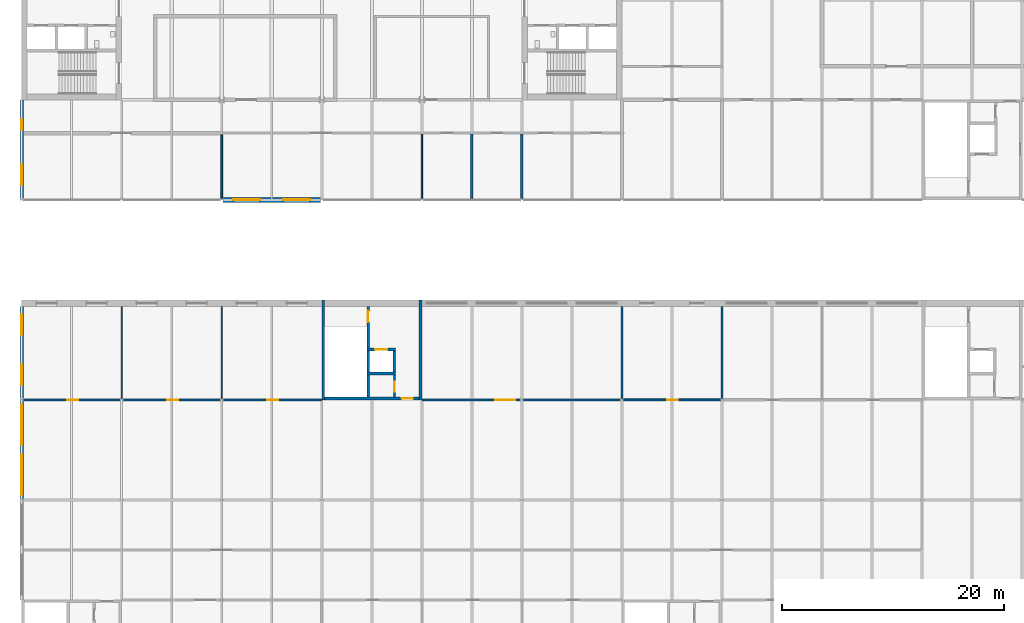
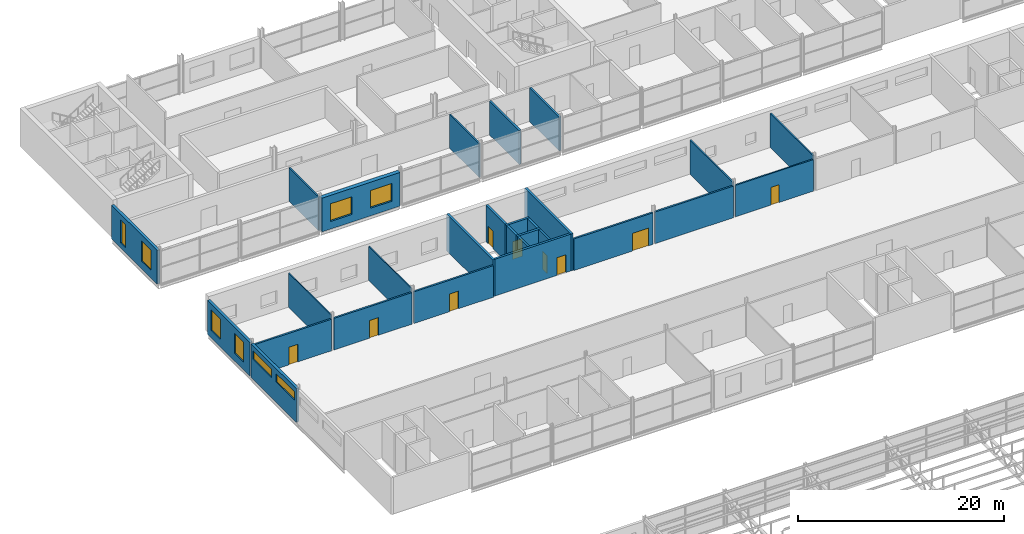
# One storey, part 118 of 138: 26 walls, 9 doors, 8 windows, 17 openings.
"""IFC4 building model written with IfcOpenShell, lengths in metres."""

from ifc_helpers import new_model, si_unit, direction, frame, frame_2d, origin, place, context, subcontext, project, spatial, rectangle, extrude, material, layer, layer_set, type_object, element, fill, save


model = new_model("IFC4")

# Units and contexts
model_context = context("Model", 3, precision=1e-05, world=origin(), true_north=direction((0.0, 1.0)))
body_context = subcontext(model_context, "Body", "Model", "MODEL_VIEW")
ifc_project = project(units=[si_unit("LENGTHUNIT", "METRE"), si_unit("AREAUNIT", "SQUARE_METRE"), si_unit("VOLUMEUNIT", "CUBIC_METRE"), si_unit("PLANEANGLEUNIT", "RADIAN"), si_unit("MASSUNIT", "GRAM", prefix="KILO")], contexts=[model_context])

# Site, building, storey
site_placement = place(None, origin())
site = spatial("IfcSite", under=ifc_project, at=site_placement, CompositionType="ELEMENT")
building_placement = place(site_placement, origin())
building = spatial("IfcBuilding", under=site, at=building_placement, Name="Corbel Yard City Hall", CompositionType="ELEMENT")
storey_placement = place(building_placement, frame((0.0, 0.0, 10.5)))
storey = spatial("IfcBuildingStorey", under=building, at=storey_placement, Name="L02", CompositionType="ELEMENT", Elevation=10.5)

# Walls
ifc_material_1 = material(Name="Concrete N50 (50 MPa)", Category="concrete")
ifc_layer_1 = layer(ifc_material_1, 0.25)
ifc_layer_set_1 = layer_set([ifc_layer_1], Name="Concrete N50 (50 MPa)")
wall_type_1 = type_object("IfcWallType", Name="Core cell wall 250", PredefinedType="SHEAR", material=ifc_layer_set_1)
for number, where, z_axis, x_axis, name in (
    (1, (27.125, 72.0, 0.0), (0.0, 0.0, 1.0), (0.0, 1.0, 0.0), "Core PC-M6 west wall"),
    (2, (35.875, 72.0, 0.0), (0.0, 0.0, 1.0), (0.0, 1.0, 0.0), "Core PC-M6 east wall"),
):
    element("IfcWall", number, at=place(storey_placement, frame(where, z_axis=z_axis, x_axis=x_axis)), inside=storey, type_object=wall_type_1, Name=name, PredefinedType="SHEAR", context=body_context, shape_type="SweptSolid", body=[
        extrude(rectangle(XDim=9.0, YDim=0.25, at=frame_2d((4.5, 0.0))), origin(), (0.0, 0.0, 1.0), 4.35009765625),
    ])

# Wall, opening, door
wall_1_placement = place(storey_placement, frame((27.25, 72.125, 0.0), z_axis=(0.0, 0.0, 1.0), x_axis=(1.0, 0.0, 0.0)))
wall_1 = element("IfcWall", 3, at=wall_1_placement, inside=storey, type_object=wall_type_1, Name="Core PC-M6 south wall", PredefinedType="SHEAR", context=body_context, shape_type="SweptSolid", body=[
    extrude(rectangle(XDim=8.5, YDim=0.25, at=frame_2d((4.25, 0.0))), origin(), (0.0, 0.0, 1.0), 4.35009765625),
])
opening_1_placement = place(wall_1_placement, frame((6.949951171875, 0.0, 0.0)))
opening_1 = element("IfcOpeningElement", 4, at=opening_1_placement, cuts=wall_1, Name="Opening L02-063", PredefinedType="OPENING", context=body_context, shape_type="SweptSolid", body=[
    extrude(rectangle(XDim=1.0, YDim=2.10009765625, at=frame_2d((0.5, 1.050048828125))), frame((0.0, 0.135009765625, 0.0), z_axis=(0.0, -1.0, 0.0), x_axis=(1.0, 0.0, 0.0)), (0.0, 0.0, 1.0), 0.27001953125),
])
ifc_material_2 = material(Name="Steel Grade G250", Category="steel")
door_type_1 = type_object("IfcDoorType", Name="FS1", OperationType="SINGLE_SWING_LEFT", PredefinedType="DOOR", material=ifc_material_2)
door_1_placement = place(opening_1_placement, origin())
door_1 = element("IfcDoor", 5, at=door_1_placement, inside=storey, type_object=door_type_1, Name="Door Lift Lobby", OperationType="SINGLE_SWING_LEFT", OverallHeight=2.10009765625, OverallWidth=1.0, PredefinedType="DOOR", context=body_context, shape_type="SweptSolid", body=[
    extrude(rectangle(XDim=1.0, YDim=2.10009765625, at=frame_2d((0.5, 1.050048828125))), frame((0.0, 0.02490234375, 0.0), z_axis=(0.0, -1.0, 0.0), x_axis=(1.0, 0.0, 0.0)), (0.0, 0.0, 1.0), 0.050048828125),
])
fill(opening_1, door_1)

# Wall, openings, windows
ifc_material_3 = material(Name="Sandstone cladding", Category="masonry")
ifc_layer_2 = layer(ifc_material_3, 0.0400390625)
ifc_material_4 = material(Name="Air cavity", Category="air")
ifc_layer_3 = layer(ifc_material_4, 0.0400390625)
ifc_material_5 = material(Name="Concrete block", Category="concrete")
ifc_layer_4 = layer(ifc_material_5, 0.18994140625)
ifc_material_6 = material(Name="Gypsum plasterboard", Category="gypsum")
ifc_layer_5 = layer(ifc_material_6, 0.030029296875)
ifc_layer_set_2 = layer_set([ifc_layer_2, ifc_layer_3, ifc_layer_4, ifc_layer_5], Name="Concrete block")
wall_type_2 = type_object("IfcWallType", Name="EW1", PredefinedType="SOLIDWALL", material=ifc_layer_set_2)
wall_2_placement = place(storey_placement, frame((0.0, 63.126953125, 0.0), z_axis=(0.0, 0.0, 1.0), x_axis=(0.0, 1.0, 0.0)))
wall_2 = element("IfcWall", 6, at=wall_2_placement, inside=storey, type_object=wall_type_2, Name="External wall", PredefinedType="SOLIDWALL", context=body_context, shape_type="SweptSolid", body=[
    extrude(rectangle(XDim=8.74609375, YDim=0.300048828125, at=frame_2d((4.373046875, 0.0))), origin(), (0.0, 0.0, 1.0), 3.990966796875),
])
opening_2_placement = place(wall_2_placement, frame((0.322998046875, 0.0, 2.39990234375)))
opening_2 = element("IfcOpeningElement", 7, at=opening_2_placement, cuts=wall_2, Name="Opening WN9", PredefinedType="OPENING", context=body_context, shape_type="SweptSolid", body=[
    extrude(rectangle(XDim=3.60009765625, YDim=1.0, at=frame_2d((1.800048828125, 0.5))), frame((0.0, 0.159912109375, 0.0), z_axis=(0.0, -1.0, 0.0), x_axis=(1.0, 0.0, 0.0)), (0.0, 0.0, 1.0), 0.320068359375),
])
opening_3_placement = place(wall_2_placement, frame((4.822998046875, 0.0, 2.39990234375)))
opening_3 = element("IfcOpeningElement", 8, at=opening_3_placement, cuts=wall_2, Name="Opening WN9", PredefinedType="OPENING", context=body_context, shape_type="SweptSolid", body=[
    extrude(rectangle(XDim=3.60009765625, YDim=1.0, at=frame_2d((1.800048828125, 0.5))), frame((0.0, 0.159912109375, 0.0), z_axis=(0.0, -1.0, 0.0), x_axis=(1.0, 0.0, 0.0)), (0.0, 0.0, 1.0), 0.320068359375),
])
ifc_material_7 = material(Name="Aluminium frame, double glazed low-e glass with fritted upper pane", Category="aluminium")
window_type_1 = type_object("IfcWindowType", Name="WN9", PartitioningType="SINGLE_PANEL", PredefinedType="WINDOW", material=ifc_material_7)
window_1_placement = place(opening_2_placement, origin())
window_1 = element("IfcWindow", 9, at=window_1_placement, inside=storey, type_object=window_type_1, Name="Window WN9 L02", OverallHeight=1.0, OverallWidth=3.60009765625, PartitioningType="SINGLE_PANEL", PredefinedType="WINDOW", context=body_context, shape_type="SweptSolid", body=[
    extrude(rectangle(XDim=3.60009765625, YDim=1.0, at=frame_2d((1.800048828125, 0.5))), frame((0.0, 0.030029296875, 0.0), z_axis=(0.0, -1.0, 0.0), x_axis=(1.0, 0.0, 0.0)), (0.0, 0.0, 1.0), 0.06005859375),
])
fill(opening_2, window_1)
window_2_placement = place(opening_3_placement, origin())
window_2 = element("IfcWindow", 10, at=window_2_placement, inside=storey, type_object=window_type_1, Name="Window WN9 L02", OverallHeight=1.0, OverallWidth=3.60009765625, PartitioningType="SINGLE_PANEL", PredefinedType="WINDOW", context=body_context, shape_type="SweptSolid", body=[
    extrude(rectangle(XDim=3.60009765625, YDim=1.0, at=frame_2d((1.800048828125, 0.5))), frame((0.0, 0.030029296875, 0.0), z_axis=(0.0, -1.0, 0.0), x_axis=(1.0, 0.0, 0.0)), (0.0, 0.0, 1.0), 0.06005859375),
])
fill(opening_3, window_2)

wall_3_placement = place(storey_placement, frame((0.0, 72.126953125, 0.0), z_axis=(0.0, 0.0, 1.0), x_axis=(0.0, 1.0, 0.0)))
wall_3 = element("IfcWall", 11, at=wall_3_placement, inside=storey, type_object=wall_type_2, Name="External wall", PredefinedType="SOLIDWALL", context=body_context, shape_type="SweptSolid", body=[
    extrude(rectangle(XDim=8.27294921875, YDim=0.300048828125, at=frame_2d((4.136474609375, 0.0))), origin(), (0.0, 0.0, 1.0), 3.990966796875),
])
opening_4_placement = place(wall_3_placement, frame((1.222900390625, 0.0, 0.89990234375)))
opening_4 = element("IfcOpeningElement", 12, at=opening_4_placement, cuts=wall_3, Name="Opening WN1", PredefinedType="OPENING", context=body_context, shape_type="SweptSolid", body=[
    extrude(rectangle(XDim=1.800048828125, YDim=2.39990234375, at=frame_2d((0.89990234375, 1.199951171875))), frame((0.0, 0.159912109375, 0.0), z_axis=(0.0, -1.0, 0.0), x_axis=(1.0, 0.0, 0.0)), (0.0, 0.0, 1.0), 0.320068359375),
])
opening_5_placement = place(wall_3_placement, frame((5.722900390625, 0.0, 0.89990234375)))
opening_5 = element("IfcOpeningElement", 13, at=opening_5_placement, cuts=wall_3, Name="Opening WN1", PredefinedType="OPENING", context=body_context, shape_type="SweptSolid", body=[
    extrude(rectangle(XDim=1.800048828125, YDim=2.39990234375, at=frame_2d((0.89990234375, 1.199951171875))), frame((0.0, 0.159912109375, 0.0), z_axis=(0.0, -1.0, 0.0), x_axis=(1.0, 0.0, 0.0)), (0.0, 0.0, 1.0), 0.320068359375),
])
ifc_material_8 = material(Name="Aluminium frame, double glazed low-e glass", Category="aluminium")
window_type_2 = type_object("IfcWindowType", Name="WN1", PartitioningType="SINGLE_PANEL", PredefinedType="WINDOW", material=ifc_material_8)
window_3_placement = place(opening_4_placement, origin())
window_3 = element("IfcWindow", 14, at=window_3_placement, inside=storey, type_object=window_type_2, Name="Window WN1 L02", OverallHeight=2.39990234375, OverallWidth=1.800048828125, PartitioningType="SINGLE_PANEL", PredefinedType="WINDOW", context=body_context, shape_type="SweptSolid", body=[
    extrude(rectangle(XDim=1.800048828125, YDim=2.39990234375, at=frame_2d((0.89990234375, 1.199951171875))), frame((0.0, 0.030029296875, 0.0), z_axis=(0.0, -1.0, 0.0), x_axis=(1.0, 0.0, 0.0)), (0.0, 0.0, 1.0), 0.06005859375),
])
fill(opening_4, window_3)
window_4_placement = place(opening_5_placement, origin())
window_4 = element("IfcWindow", 15, at=window_4_placement, inside=storey, type_object=window_type_2, Name="Window WN1 L02", OverallHeight=2.39990234375, OverallWidth=1.800048828125, PartitioningType="SINGLE_PANEL", PredefinedType="WINDOW", context=body_context, shape_type="SweptSolid", body=[
    extrude(rectangle(XDim=1.800048828125, YDim=2.39990234375, at=frame_2d((0.89990234375, 1.199951171875))), frame((0.0, 0.030029296875, 0.0), z_axis=(0.0, -1.0, 0.0), x_axis=(1.0, 0.0, 0.0)), (0.0, 0.0, 1.0), 0.06005859375),
])
fill(opening_5, window_4)

wall_4_placement = place(storey_placement, frame((0.0, 90.126953125, 0.0), z_axis=(0.0, 0.0, 1.0), x_axis=(0.0, 1.0, 0.0)))
wall_4 = element("IfcWall", 16, at=wall_4_placement, inside=storey, type_object=wall_type_2, Name="External wall", PredefinedType="SOLIDWALL", context=body_context, shape_type="SweptSolid", body=[
    extrude(rectangle(XDim=8.873046875, YDim=0.300048828125, at=frame_2d((4.4365234375, 0.0))), origin(), (0.0, 0.0, 1.0), 3.990966796875),
])
opening_6_placement = place(wall_4_placement, frame((1.222900390625, 0.0, 0.89990234375)))
opening_6 = element("IfcOpeningElement", 17, at=opening_6_placement, cuts=wall_4, Name="Opening WN1", PredefinedType="OPENING", context=body_context, shape_type="SweptSolid", body=[
    extrude(rectangle(XDim=1.800048828125, YDim=2.39990234375, at=frame_2d((0.89990234375, 1.199951171875))), frame((0.0, 0.159912109375, 0.0), z_axis=(0.0, -1.0, 0.0), x_axis=(1.0, 0.0, 0.0)), (0.0, 0.0, 1.0), 0.320068359375),
])
opening_7_placement = place(wall_4_placement, frame((6.173095703125, 0.0, 0.60009765625)))
opening_7 = element("IfcOpeningElement", 18, at=opening_7_placement, cuts=wall_4, Name="Opening WN14", PredefinedType="OPENING", context=body_context, shape_type="SweptSolid", body=[
    extrude(rectangle(XDim=0.89990234375, YDim=2.699951171875, at=frame_2d((0.449951171875, 1.35009765625))), frame((0.0, 0.159912109375, 0.0), z_axis=(0.0, -1.0, 0.0), x_axis=(1.0, 0.0, 0.0)), (0.0, 0.0, 1.0), 0.320068359375),
])
window_5_placement = place(opening_6_placement, origin())
window_5 = element("IfcWindow", 19, at=window_5_placement, inside=storey, type_object=window_type_2, Name="Window WN1 L02", OverallHeight=2.39990234375, OverallWidth=1.800048828125, PartitioningType="SINGLE_PANEL", PredefinedType="WINDOW", context=body_context, shape_type="SweptSolid", body=[
    extrude(rectangle(XDim=1.800048828125, YDim=2.39990234375, at=frame_2d((0.89990234375, 1.199951171875))), frame((0.0, 0.030029296875, 0.0), z_axis=(0.0, -1.0, 0.0), x_axis=(1.0, 0.0, 0.0)), (0.0, 0.0, 1.0), 0.06005859375),
])
fill(opening_6, window_5)
window_type_3 = type_object("IfcWindowType", Name="WN14", PartitioningType="SINGLE_PANEL", PredefinedType="WINDOW", material=ifc_material_8)
window_6_placement = place(opening_7_placement, origin())
window_6 = element("IfcWindow", 20, at=window_6_placement, inside=storey, type_object=window_type_3, Name="Window WN14 L02", OverallHeight=2.699951171875, OverallWidth=0.89990234375, PartitioningType="SINGLE_PANEL", PredefinedType="WINDOW", context=body_context, shape_type="SweptSolid", body=[
    extrude(rectangle(XDim=0.89990234375, YDim=2.699951171875, at=frame_2d((0.449951171875, 1.35009765625))), frame((0.0, 0.030029296875, 0.0), z_axis=(0.0, -1.0, 0.0), x_axis=(1.0, 0.0, 0.0)), (0.0, 0.0, 1.0), 0.06005859375),
])
fill(opening_7, window_6)

ifc_layer_6 = layer(ifc_material_3, 0.06005859375)
ifc_layer_7 = layer(ifc_material_4, 0.0400390625)
ifc_material_9 = material(Name="Concrete N40 (40 MPa)", Category="concrete")
ifc_layer_8 = layer(ifc_material_9, 0.25)
ifc_material_10 = material(Name="Mineral wool", Category="insulation")
ifc_layer_9 = layer(ifc_material_10, 0.10009765625)
ifc_layer_set_3 = layer_set([ifc_layer_6, ifc_layer_7, ifc_layer_8, ifc_layer_9], Name="Concrete N40 (40 MPa)")
wall_type_3 = type_object("IfcWallType", Name="EW2", PredefinedType="SOLIDWALL", material=ifc_layer_set_3)
wall_5_placement = place(storey_placement, frame((18.126953125, 90.0, 0.0), z_axis=(0.0, 0.0, 1.0), x_axis=(1.0, 0.0, 0.0)))
wall_5 = element("IfcWall", 21, at=wall_5_placement, inside=storey, type_object=wall_type_3, Name="Entrance pier wall", PredefinedType="SOLIDWALL", context=body_context, shape_type="SweptSolid", body=[
    extrude(rectangle(XDim=8.74609375, YDim=0.449951171875, at=frame_2d((4.373046875, 0.0))), origin(), (0.0, 0.0, 1.0), 3.990966796875),
])
opening_8_placement = place(wall_5_placement, frame((0.923095703125, 0.0, 0.89990234375)))
opening_8 = element("IfcOpeningElement", 22, at=opening_8_placement, cuts=wall_5, Name="Opening WN8", PredefinedType="OPENING", context=body_context, shape_type="SweptSolid", body=[
    extrude(rectangle(XDim=2.39990234375, YDim=2.10009765625, at=frame_2d((1.199951171875, 1.050048828125))), frame((0.0, 0.23486328125, 0.0), z_axis=(0.0, -1.0, 0.0), x_axis=(1.0, 0.0, 0.0)), (0.0, 0.0, 1.0), 0.469970703125),
])
opening_9_placement = place(wall_5_placement, frame((5.423095703125, 0.0, 0.89990234375)))
opening_9 = element("IfcOpeningElement", 23, at=opening_9_placement, cuts=wall_5, Name="Opening WN8", PredefinedType="OPENING", context=body_context, shape_type="SweptSolid", body=[
    extrude(rectangle(XDim=2.39990234375, YDim=2.10009765625, at=frame_2d((1.199951171875, 1.050048828125))), frame((0.0, 0.23486328125, 0.0), z_axis=(0.0, -1.0, 0.0), x_axis=(1.0, 0.0, 0.0)), (0.0, 0.0, 1.0), 0.469970703125),
])
window_type_4 = type_object("IfcWindowType", Name="WN8", PartitioningType="SINGLE_PANEL", PredefinedType="WINDOW", material=ifc_material_8)
window_7_placement = place(opening_8_placement, origin())
window_7 = element("IfcWindow", 24, at=window_7_placement, inside=storey, type_object=window_type_4, Name="Window WN8 L02", OverallHeight=2.10009765625, OverallWidth=2.39990234375, PartitioningType="SINGLE_PANEL", PredefinedType="WINDOW", context=body_context, shape_type="SweptSolid", body=[
    extrude(rectangle(XDim=2.39990234375, YDim=2.10009765625, at=frame_2d((1.199951171875, 1.050048828125))), frame((0.0, 0.030029296875, 0.0), z_axis=(0.0, -1.0, 0.0), x_axis=(1.0, 0.0, 0.0)), (0.0, 0.0, 1.0), 0.06005859375),
])
fill(opening_8, window_7)
window_8_placement = place(opening_9_placement, origin())
window_8 = element("IfcWindow", 25, at=window_8_placement, inside=storey, type_object=window_type_4, Name="Window WN8 L02", OverallHeight=2.10009765625, OverallWidth=2.39990234375, PartitioningType="SINGLE_PANEL", PredefinedType="WINDOW", context=body_context, shape_type="SweptSolid", body=[
    extrude(rectangle(XDim=2.39990234375, YDim=2.10009765625, at=frame_2d((1.199951171875, 1.050048828125))), frame((0.0, 0.030029296875, 0.0), z_axis=(0.0, -1.0, 0.0), x_axis=(1.0, 0.0, 0.0)), (0.0, 0.0, 1.0), 0.06005859375),
])
fill(opening_9, window_8)

# Wall, opening, door
ifc_layer_10 = layer(ifc_material_9, 0.25)
ifc_layer_set_4 = layer_set([ifc_layer_10], Name="Concrete N40 (40 MPa)")
wall_type_4 = type_object("IfcWallType", Name="IW2", PredefinedType="SOLIDWALL", material=ifc_layer_set_4)
wall_6_placement = place(storey_placement, frame((31.175048828125, 80.39990234375, 0.0), z_axis=(0.0, 0.0, 1.0), x_axis=(0.0, -1.0, 0.0)))
wall_6 = element("IfcWall", 26, at=wall_6_placement, inside=storey, type_object=wall_type_4, Name="Stair enclosure wall", PredefinedType="SOLIDWALL", context=body_context, shape_type="SweptSolid", body=[
    extrude(rectangle(XDim=8.14990234375, YDim=0.25, at=frame_2d((4.074951171875, 0.0))), origin(), (0.0, 0.0, 1.0), 4.35009765625),
])
opening_10_placement = place(wall_6_placement, frame((0.39990234375, 0.0, 0.0)))
opening_10 = element("IfcOpeningElement", 27, at=opening_10_placement, cuts=wall_6, Name="Opening L02-062", PredefinedType="OPENING", context=body_context, shape_type="SweptSolid", body=[
    extrude(rectangle(XDim=1.0, YDim=2.10009765625, at=frame_2d((0.5, 1.050048828125))), frame((0.0, 0.135009765625, 0.0), z_axis=(0.0, -1.0, 0.0), x_axis=(1.0, 0.0, 0.0)), (0.0, 0.0, 1.0), 0.27001953125),
])
door_2_placement = place(opening_10_placement, frame((1.0, 0.0, 0.0), z_axis=(0.0, 0.0, 1.0), x_axis=(-1.0, 0.0, 0.0)))
door_2 = element("IfcDoor", 28, at=door_2_placement, inside=storey, type_object=door_type_1, Name="Door Exit Stair 13", OperationType="SINGLE_SWING_RIGHT", OverallHeight=2.10009765625, OverallWidth=1.0, PredefinedType="DOOR", context=body_context, shape_type="SweptSolid", body=[
    extrude(rectangle(XDim=1.0, YDim=2.10009765625, at=frame_2d((0.5, 1.050048828125))), frame((0.0, 0.02490234375, 0.0), z_axis=(0.0, -1.0, 0.0), x_axis=(1.0, 0.0, 0.0)), (0.0, 0.0, 1.0), 0.050048828125),
])
fill(opening_10, door_2)

# Wall
wall_7_placement = place(storey_placement, frame((31.050048828125, 74.375, 0.0), z_axis=(0.0, 0.0, 1.0), x_axis=(1.0, 0.0, 0.0)))
element("IfcWall", 29, at=wall_7_placement, inside=storey, type_object=wall_type_4, Name="Lift LP13 shaft wall", PredefinedType="SOLIDWALL", context=body_context, shape_type="SweptSolid", body=[
    extrude(rectangle(XDim=2.599853515625, YDim=0.25, at=frame_2d((1.2998046875, 0.0))), origin(), (0.0, 0.0, 1.0), 4.35009765625),
])

# Wall, opening, door
wall_8_placement = place(storey_placement, frame((31.050048828125, 76.52490234375, 0.0), z_axis=(0.0, 0.0, 1.0), x_axis=(1.0, 0.0, 0.0)))
wall_8 = element("IfcWall", 30, at=wall_8_placement, inside=storey, type_object=wall_type_4, Name="Lift LP13 shaft wall", PredefinedType="SOLIDWALL", context=body_context, shape_type="SweptSolid", body=[
    extrude(rectangle(XDim=2.599853515625, YDim=0.25, at=frame_2d((1.2998046875, 0.0))), origin(), (0.0, 0.0, 1.0), 4.35009765625),
])
opening_11_placement = place(wall_8_placement, frame((0.75, 0.0, 0.0)))
opening_11 = element("IfcOpeningElement", 31, at=opening_11_placement, cuts=wall_8, Name="Opening L02-053", PredefinedType="OPENING", context=body_context, shape_type="SweptSolid", body=[
    extrude(rectangle(XDim=1.10009765625, YDim=2.10009765625, at=frame_2d((0.550048828125, 1.050048828125))), frame((0.0, 0.135009765625, 0.0), z_axis=(0.0, -1.0, 0.0), x_axis=(1.0, 0.0, 0.0)), (0.0, 0.0, 1.0), 0.27001953125),
])
ifc_material_11 = material(Name="Stainless steel Grade 316", Category="steel")
door_type_2 = type_object("IfcDoorType", Name="LD1", OperationType="DOUBLE_DOOR_SLIDING", PredefinedType="DOOR", material=ifc_material_11)
door_3_placement = place(opening_11_placement, origin())
door_3 = element("IfcDoor", 32, at=door_3_placement, inside=storey, type_object=door_type_2, Name="Lift LP13 landing door", OperationType="DOUBLE_DOOR_SLIDING", OverallHeight=2.10009765625, OverallWidth=1.10009765625, PredefinedType="DOOR", context=body_context, shape_type="SweptSolid", body=[
    extrude(rectangle(XDim=1.10009765625, YDim=2.10009765625, at=frame_2d((0.550048828125, 1.050048828125))), frame((0.0, 0.02490234375, 0.0), z_axis=(0.0, -1.0, 0.0), x_axis=(1.0, 0.0, 0.0)), (0.0, 0.0, 1.0), 0.050048828125),
])
fill(opening_11, door_3)

# Walls
wall_9_placement = place(storey_placement, frame((33.52490234375, 74.5, 0.0), z_axis=(0.0, 0.0, 1.0), x_axis=(0.0, 1.0, 0.0)))
element("IfcWall", 33, at=wall_9_placement, inside=storey, type_object=wall_type_4, Name="Lift LP13 shaft wall", PredefinedType="SOLIDWALL", context=body_context, shape_type="SweptSolid", body=[
    extrude(rectangle(XDim=1.89990234375, YDim=0.25, at=frame_2d((0.949951171875, 0.0))), origin(), (0.0, 0.0, 1.0), 4.35009765625),
])
ifc_layer_11 = layer(ifc_material_6, 0.028076171875)
ifc_material_12 = material(Name="Steel Grade G550 (550 MPa yield)", Category="steel")
ifc_layer_12 = layer(ifc_material_12, 0.06396484375)
ifc_layer_13 = layer(ifc_material_6, 0.028076171875)
ifc_layer_set_5 = layer_set([ifc_layer_11, ifc_layer_12, ifc_layer_13], Name="Steel Grade G550 (550 MPa yield)")
wall_type_5 = type_object("IfcWallType", Name="PT1", PredefinedType="PARTITIONING", material=ifc_layer_set_5)
for number, where, z_axis, x_axis, name in (
    (34, (9.0, 72.1298828125, 0.0), (0.0, 0.0, 1.0), (0.0, 1.0, 0.0), "Partition"),
    (35, (18.0, 72.1298828125, 0.0), (0.0, 0.0, 1.0), (0.0, 1.0, 0.0), "Partition"),
):
    element("IfcWall", number, at=place(storey_placement, frame(where, z_axis=z_axis, x_axis=x_axis)), inside=storey, type_object=wall_type_5, Name=name, PredefinedType="PARTITIONING", context=body_context, shape_type="SweptSolid", body=[
        extrude(rectangle(XDim=8.27001953125, YDim=0.1201171875, at=frame_2d((4.135009765625, 0.0))), origin(), (0.0, 0.0, 1.0), 4.04296875),
    ])

# Wall, opening, door
ifc_layer_14 = layer(ifc_material_6, 0.031982421875)
ifc_layer_15 = layer(ifc_material_12, 0.135986328125)
ifc_layer_16 = layer(ifc_material_6, 0.031982421875)
ifc_layer_set_6 = layer_set([ifc_layer_14, ifc_layer_15, ifc_layer_16], Name="Steel Grade G550 (550 MPa yield)")
wall_type_6 = type_object("IfcWallType", Name="PT2", PredefinedType="PARTITIONING", material=ifc_layer_set_6)
wall_10_placement = place(storey_placement, frame((0.126953125, 72.0, 0.0), z_axis=(0.0, 0.0, 1.0), x_axis=(1.0, 0.0, 0.0)))
wall_10 = element("IfcWall", 36, at=wall_10_placement, inside=storey, type_object=wall_type_6, Name="Acoustic wall", PredefinedType="PARTITIONING", context=body_context, shape_type="SweptSolid", body=[
    extrude(rectangle(XDim=8.7431640625, YDim=0.199951171875, at=frame_2d((4.37158203125, 0.0))), origin(), (0.0, 0.0, 1.0), 3.738037109375),
])
opening_12_placement = place(wall_10_placement, frame((3.972900390625, 0.0, 0.0)))
opening_12 = element("IfcOpeningElement", 37, at=opening_12_placement, cuts=wall_10, Name="Opening L02-077", PredefinedType="OPENING", context=body_context, shape_type="SweptSolid", body=[
    extrude(rectangle(XDim=1.0, YDim=2.10009765625, at=frame_2d((0.5, 1.050048828125))), frame((0.0, 0.10986328125, 0.0), z_axis=(0.0, -1.0, 0.0), x_axis=(1.0, 0.0, 0.0)), (0.0, 0.0, 1.0), 0.219970703125),
])
ifc_material_13 = material(Name="Timber", Category="wood")
door_type_3 = type_object("IfcDoorType", Name="D1", OperationType="SINGLE_SWING_LEFT", PredefinedType="DOOR", material=ifc_material_13)
door_4_placement = place(opening_12_placement, origin())
door_4 = element("IfcDoor", 38, at=door_4_placement, inside=storey, type_object=door_type_3, Name="Door Study Carrel 4", OperationType="SINGLE_SWING_RIGHT", OverallHeight=2.10009765625, OverallWidth=1.0, PredefinedType="DOOR", context=body_context, shape_type="SweptSolid", body=[
    extrude(rectangle(XDim=1.0, YDim=2.10009765625, at=frame_2d((0.5, 1.050048828125))), frame((0.0, 0.02490234375, 0.0), z_axis=(0.0, -1.0, 0.0), x_axis=(1.0, 0.0, 0.0)), (0.0, 0.0, 1.0), 0.050048828125),
])
fill(opening_12, door_4)

wall_11_placement = place(storey_placement, frame((9.1298828125, 72.0, 0.0), z_axis=(0.0, 0.0, 1.0), x_axis=(1.0, 0.0, 0.0)))
wall_11 = element("IfcWall", 39, at=wall_11_placement, inside=storey, type_object=wall_type_6, Name="Acoustic wall", PredefinedType="PARTITIONING", context=body_context, shape_type="SweptSolid", body=[
    extrude(rectangle(XDim=8.740234375, YDim=0.199951171875, at=frame_2d((4.3701171875, 0.0))), origin(), (0.0, 0.0, 1.0), 3.738037109375),
])
opening_13_placement = place(wall_11_placement, frame((3.969970703125, 0.0, 0.0)))
opening_13 = element("IfcOpeningElement", 40, at=opening_13_placement, cuts=wall_11, Name="Opening L02-078", PredefinedType="OPENING", context=body_context, shape_type="SweptSolid", body=[
    extrude(rectangle(XDim=1.0, YDim=2.10009765625, at=frame_2d((0.5, 1.050048828125))), frame((0.0, 0.10986328125, 0.0), z_axis=(0.0, -1.0, 0.0), x_axis=(1.0, 0.0, 0.0)), (0.0, 0.0, 1.0), 0.219970703125),
])
door_5_placement = place(opening_13_placement, origin())
door_5 = element("IfcDoor", 41, at=door_5_placement, inside=storey, type_object=door_type_3, Name="Door Study Carrel 5", OperationType="SINGLE_SWING_RIGHT", OverallHeight=2.10009765625, OverallWidth=1.0, PredefinedType="DOOR", context=body_context, shape_type="SweptSolid", body=[
    extrude(rectangle(XDim=1.0, YDim=2.10009765625, at=frame_2d((0.5, 1.050048828125))), frame((0.0, 0.02490234375, 0.0), z_axis=(0.0, -1.0, 0.0), x_axis=(1.0, 0.0, 0.0)), (0.0, 0.0, 1.0), 0.050048828125),
])
fill(opening_13, door_5)

wall_12_placement = place(storey_placement, frame((18.1298828125, 72.0, 0.0), z_axis=(0.0, 0.0, 1.0), x_axis=(1.0, 0.0, 0.0)))
wall_12 = element("IfcWall", 42, at=wall_12_placement, inside=storey, type_object=wall_type_6, Name="Acoustic wall", PredefinedType="PARTITIONING", context=body_context, shape_type="SweptSolid", body=[
    extrude(rectangle(XDim=8.8701171875, YDim=0.199951171875, at=frame_2d((4.43505859375, 0.0))), origin(), (0.0, 0.0, 1.0), 3.738037109375),
])
opening_14_placement = place(wall_12_placement, frame((3.969970703125, 0.0, 0.0)))
opening_14 = element("IfcOpeningElement", 43, at=opening_14_placement, cuts=wall_12, Name="Opening L02-079", PredefinedType="OPENING", context=body_context, shape_type="SweptSolid", body=[
    extrude(rectangle(XDim=1.0, YDim=2.10009765625, at=frame_2d((0.5, 1.050048828125))), frame((0.0, 0.10986328125, 0.0), z_axis=(0.0, -1.0, 0.0), x_axis=(1.0, 0.0, 0.0)), (0.0, 0.0, 1.0), 0.219970703125),
])
door_6_placement = place(opening_14_placement, origin())
door_6 = element("IfcDoor", 44, at=door_6_placement, inside=storey, type_object=door_type_3, Name="Door Study Carrel 6", OperationType="SINGLE_SWING_RIGHT", OverallHeight=2.10009765625, OverallWidth=1.0, PredefinedType="DOOR", context=body_context, shape_type="SweptSolid", body=[
    extrude(rectangle(XDim=1.0, YDim=2.10009765625, at=frame_2d((0.5, 1.050048828125))), frame((0.0, 0.02490234375, 0.0), z_axis=(0.0, -1.0, 0.0), x_axis=(1.0, 0.0, 0.0)), (0.0, 0.0, 1.0), 0.050048828125),
])
fill(opening_14, door_6)

wall_13_placement = place(storey_placement, frame((36.0, 72.0, 0.0), z_axis=(0.0, 0.0, 1.0), x_axis=(1.0, 0.0, 0.0)))
wall_13 = element("IfcWall", 45, at=wall_13_placement, inside=storey, type_object=wall_type_6, Name="Acoustic wall", PredefinedType="PARTITIONING", context=body_context, shape_type="SweptSolid", body=[
    extrude(rectangle(XDim=8.8701171875, YDim=0.199951171875, at=frame_2d((4.43505859375, 0.0))), origin(), (0.0, 0.0, 1.0), 3.738037109375),
])
opening_15_placement = place(wall_13_placement, frame((6.60009765625, 0.0, 0.0)))
opening_15 = element("IfcOpeningElement", 46, at=opening_15_placement, cuts=wall_13, Name="Opening L02-080", PredefinedType="OPENING", context=body_context, shape_type="SweptSolid", body=[
    extrude(rectangle(XDim=1.800048828125, YDim=2.10009765625, at=frame_2d((0.89990234375, 1.050048828125))), frame((0.0, 0.10986328125, 0.0), z_axis=(0.0, -1.0, 0.0), x_axis=(1.0, 0.0, 0.0)), (0.0, 0.0, 1.0), 0.219970703125),
])
door_type_4 = type_object("IfcDoorType", Name="D3", OperationType="DOUBLE_DOOR_SINGLE_SWING", PredefinedType="DOOR", material=ifc_material_13)
door_7_placement = place(opening_15_placement, origin())
door_7 = element("IfcDoor", 47, at=door_7_placement, inside=storey, type_object=door_type_4, Name="Door Library Stacks", OperationType="DOUBLE_DOOR_SINGLE_SWING", OverallHeight=2.10009765625, OverallWidth=1.800048828125, PredefinedType="DOOR", context=body_context, shape_type="SweptSolid", body=[
    extrude(rectangle(XDim=1.800048828125, YDim=2.10009765625, at=frame_2d((0.89990234375, 1.050048828125))), frame((0.0, 0.02490234375, 0.0), z_axis=(0.0, -1.0, 0.0), x_axis=(1.0, 0.0, 0.0)), (0.0, 0.0, 1.0), 0.050048828125),
])
fill(opening_15, door_7)

# Wall
wall_14_placement = place(storey_placement, frame((45.1298828125, 72.0, 0.0), z_axis=(0.0, 0.0, 1.0), x_axis=(1.0, 0.0, 0.0)))
element("IfcWall", 48, at=wall_14_placement, inside=storey, type_object=wall_type_6, Name="Acoustic wall", PredefinedType="PARTITIONING", context=body_context, shape_type="SweptSolid", body=[
    extrude(rectangle(XDim=8.740234375, YDim=0.199951171875, at=frame_2d((4.3701171875, 0.0))), origin(), (0.0, 0.0, 1.0), 3.738037109375),
])

# Wall, opening, door
ifc_layer_17 = layer(ifc_material_6, 0.031982421875)
ifc_layer_18 = layer(ifc_material_12, 0.095947265625)
ifc_layer_19 = layer(ifc_material_6, 0.031982421875)
ifc_layer_set_7 = layer_set([ifc_layer_17, ifc_layer_18, ifc_layer_19], Name="Steel Grade G550 (550 MPa yield)")
wall_type_7 = type_object("IfcWallType", Name="PT3", PredefinedType="PARTITIONING", material=ifc_layer_set_7)
wall_15_placement = place(storey_placement, frame((54.1298828125, 72.0, 0.0), z_axis=(0.0, 0.0, 1.0), x_axis=(1.0, 0.0, 0.0)))
wall_15 = element("IfcWall", 49, at=wall_15_placement, inside=storey, type_object=wall_type_7, Name="Fire-resisting wall", PredefinedType="PARTITIONING", context=body_context, shape_type="SweptSolid", body=[
    extrude(rectangle(XDim=8.740234375, YDim=0.159912109375, at=frame_2d((4.3701171875, 0.0))), origin(), (0.0, 0.0, 1.0), 3.738037109375),
])
opening_16_placement = place(wall_15_placement, frame((3.969970703125, 0.0, 0.0)))
opening_16 = element("IfcOpeningElement", 50, at=opening_16_placement, cuts=wall_15, Name="Opening L02-081", PredefinedType="OPENING", context=body_context, shape_type="SweptSolid", body=[
    extrude(rectangle(XDim=0.919921875, YDim=2.10009765625, at=frame_2d((0.4599609375, 1.050048828125))), frame((0.0, 0.08984375, 0.0), z_axis=(0.0, -1.0, 0.0), x_axis=(1.0, 0.0, 0.0)), (0.0, 0.0, 1.0), 0.179931640625),
])
door_type_5 = type_object("IfcDoorType", Name="FD5", OperationType="SINGLE_SWING_RIGHT", PredefinedType="DOOR", material=ifc_material_2)
door_8_placement = place(opening_16_placement, origin())
door_8 = element("IfcDoor", 51, at=door_8_placement, inside=storey, type_object=door_type_5, Name="Door Library Archive", OperationType="SINGLE_SWING_RIGHT", OverallHeight=2.10009765625, OverallWidth=0.919921875, PredefinedType="DOOR", context=body_context, shape_type="SweptSolid", body=[
    extrude(rectangle(XDim=0.919921875, YDim=2.10009765625, at=frame_2d((0.4599609375, 1.050048828125))), frame((0.0, 0.02490234375, 0.0), z_axis=(0.0, -1.0, 0.0), x_axis=(1.0, 0.0, 0.0)), (0.0, 0.0, 1.0), 0.050048828125),
])
fill(opening_16, door_8)

# Walls
for number, where, z_axis, x_axis, name in (
    (52, (54.0, 72.1298828125, 0.0), (0.0, 0.0, 1.0), (0.0, 1.0, 0.0), "Fire-resisting wall"),
    (53, (63.0, 72.1298828125, 0.0), (0.0, 0.0, 1.0), (0.0, 1.0, 0.0), "Fire-resisting wall"),
):
    element("IfcWall", number, at=place(storey_placement, frame(where, z_axis=z_axis, x_axis=x_axis)), inside=storey, type_object=wall_type_7, Name=name, PredefinedType="PARTITIONING", context=body_context, shape_type="SweptSolid", body=[
        extrude(rectangle(XDim=8.27001953125, YDim=0.159912109375, at=frame_2d((4.135009765625, 0.0))), origin(), (0.0, 0.0, 1.0), 4.04296875),
    ])

# Wall, opening, door
ifc_material_14 = material(Name="Concrete block", Category="concrete")
ifc_layer_20 = layer(ifc_material_14, 0.18994140625)
ifc_layer_set_8 = layer_set([ifc_layer_20], Name="Concrete block")
wall_type_8 = type_object("IfcWallType", Name="PT4", PredefinedType="PARTITIONING", material=ifc_layer_set_8)
wall_16_placement = place(storey_placement, frame((33.52490234375, 72.25, 0.0), z_axis=(0.0, 0.0, 1.0), x_axis=(0.0, 1.0, 0.0)))
wall_16 = element("IfcWall", 54, at=wall_16_placement, inside=storey, type_object=wall_type_8, Name="Fire-resisting block wall", PredefinedType="PARTITIONING", context=body_context, shape_type="SweptSolid", body=[
    extrude(rectangle(XDim=2.0, YDim=0.18994140625, at=frame_2d((1.0, 0.0))), origin(), (0.0, 0.0, 1.0), 4.35009765625),
])
opening_17_placement = place(wall_16_placement, frame((0.4775390625, 0.0, 0.0)))
opening_17 = element("IfcOpeningElement", 55, at=opening_17_placement, cuts=wall_16, Name="Opening L02-064", PredefinedType="OPENING", context=body_context, shape_type="SweptSolid", body=[
    extrude(rectangle(XDim=0.919921875, YDim=2.10009765625, at=frame_2d((0.4599609375, 1.050048828125))), frame((0.0, 0.10498046875, 0.0), z_axis=(0.0, -1.0, 0.0), x_axis=(1.0, 0.0, 0.0)), (0.0, 0.0, 1.0), 0.2099609375),
])
door_type_6 = type_object("IfcDoorType", Name="FS5", OperationType="SINGLE_SWING_RIGHT", PredefinedType="DOOR", material=ifc_material_2)
door_9_placement = place(opening_17_placement, origin())
door_9 = element("IfcDoor", 56, at=door_9_placement, inside=storey, type_object=door_type_6, Name="Door Service Riser", OperationType="SINGLE_SWING_LEFT", OverallHeight=2.10009765625, OverallWidth=0.919921875, PredefinedType="DOOR", context=body_context, shape_type="SweptSolid", body=[
    extrude(rectangle(XDim=0.919921875, YDim=2.10009765625, at=frame_2d((0.4599609375, 1.050048828125))), frame((0.0, 0.02490234375, 0.0), z_axis=(0.0, -1.0, 0.0), x_axis=(1.0, 0.0, 0.0)), (0.0, 0.0, 1.0), 0.050048828125),
])
fill(opening_17, door_9)

# Walls
ifc_layer_21 = layer(ifc_material_6, 0.031982421875)
ifc_layer_22 = layer(ifc_material_12, 0.156005859375)
ifc_layer_23 = layer(ifc_material_6, 0.031982421875)
ifc_layer_set_9 = layer_set([ifc_layer_21, ifc_layer_22, ifc_layer_23], Name="Steel Grade G550 (550 MPa yield)")
wall_type_9 = type_object("IfcWallType", Name="PT5", PredefinedType="PLUMBINGWALL", material=ifc_layer_set_9)
wall_17_placement = place(storey_placement, frame((40.5, 90.10009765625, 0.0), z_axis=(0.0, 0.0, 1.0), x_axis=(0.0, 1.0, 0.0)))
element("IfcWall", 57, at=wall_17_placement, inside=storey, type_object=wall_type_9, Name="Wet wall", PredefinedType="PLUMBINGWALL", context=body_context, shape_type="SweptSolid", body=[
    extrude(rectangle(XDim=5.7998046875, YDim=0.219970703125, at=frame_2d((2.89990234375, 0.0))), origin(), (0.0, 0.0, 1.0), 3.998046875),
])
wall_18_placement = place(storey_placement, frame((45.0, 90.126953125, 0.0), z_axis=(0.0, 0.0, 1.0), x_axis=(0.0, 1.0, 0.0)))
element("IfcWall", 58, at=wall_18_placement, inside=storey, type_object=wall_type_9, Name="Wet wall", PredefinedType="PLUMBINGWALL", context=body_context, shape_type="SweptSolid", body=[
    extrude(rectangle(XDim=5.77294921875, YDim=0.219970703125, at=frame_2d((2.886474609375, 0.0))), origin(), (0.0, 0.0, 1.0), 3.998046875),
])
ifc_layer_24 = layer(ifc_material_6, 0.031982421875)
ifc_layer_25 = layer(ifc_material_12, 0.0859375)
ifc_layer_26 = layer(ifc_material_6, 0.031982421875)
ifc_layer_set_10 = layer_set([ifc_layer_24, ifc_layer_25, ifc_layer_26], Name="Steel Grade G550 (550 MPa yield)")
wall_type_10 = type_object("IfcWallType", Name="PT7", PredefinedType="PARTITIONING", material=ifc_layer_set_10)
wall_19_placement = place(storey_placement, frame((18.0, 90.126953125, 0.0), z_axis=(0.0, 0.0, 1.0), x_axis=(0.0, 1.0, 0.0)))
element("IfcWall", 59, at=wall_19_placement, inside=storey, type_object=wall_type_10, Name="Suite partition", PredefinedType="PARTITIONING", context=body_context, shape_type="SweptSolid", body=[
    extrude(rectangle(XDim=5.71044921875, YDim=0.14990234375, at=frame_2d((2.855224609375, 0.0))), origin(), (0.0, 0.0, 1.0), 3.998046875),
])
wall_20_placement = place(storey_placement, frame((36.0, 90.126953125, 0.0), z_axis=(0.0, 0.0, 1.0), x_axis=(0.0, 1.0, 0.0)))
element("IfcWall", 60, at=wall_20_placement, inside=storey, type_object=wall_type_10, Name="Suite partition", PredefinedType="PARTITIONING", context=body_context, shape_type="SweptSolid", body=[
    extrude(rectangle(XDim=5.77294921875, YDim=0.14990234375, at=frame_2d((2.886474609375, 0.0))), origin(), (0.0, 0.0, 1.0), 3.998046875),
])

save(model, "model.ifc")
